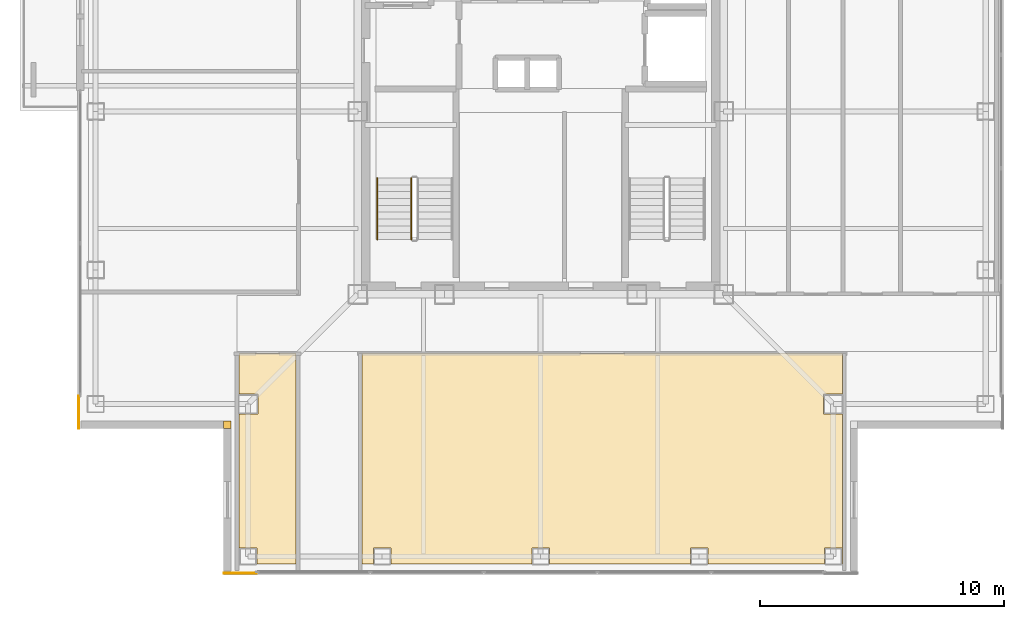
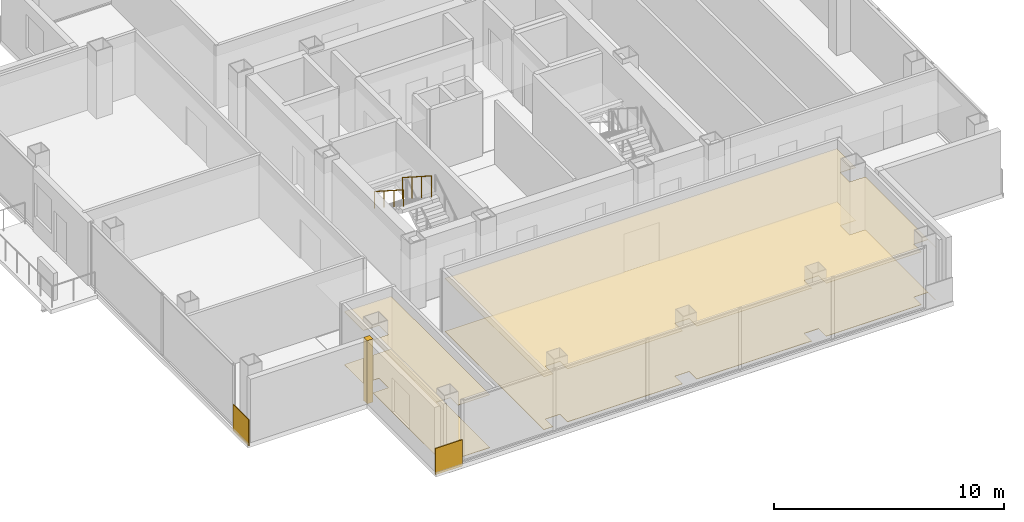
# One storey, part 11 of 13: 7 coverings, 2 railings.
"""IFC4 building model written with IfcOpenShell, lengths in metres."""

from ifc_helpers import new_model, si_unit, direction, frame, frame_2d, origin, origin_2d, place, context, subcontext, project, spatial, polyline, rectangle, circle, outline, extrude, material, layer, layer_set, type_object, element, save


model = new_model("IFC4")

# Units and contexts
model_context = context("Model", 3, precision=1e-05, world=origin(), true_north=direction((0.0, 1.0)))
body_context = subcontext(model_context, "Body", "Model", "MODEL_VIEW")
ifc_project = project(units=[si_unit("LENGTHUNIT", "METRE"), si_unit("AREAUNIT", "SQUARE_METRE"), si_unit("VOLUMEUNIT", "CUBIC_METRE"), si_unit("PLANEANGLEUNIT", "RADIAN"), si_unit("MASSUNIT", "GRAM", prefix="KILO")], contexts=[model_context])

# Site, building, storey
site_placement = place(None, origin())
site = spatial("IfcSite", under=ifc_project, at=site_placement, CompositionType="ELEMENT")
building_placement = place(site_placement, origin())
building = spatial("IfcBuilding", under=site, at=building_placement, Name="Trevonay Congress Spire", CompositionType="ELEMENT")
storey_placement = place(building_placement, frame((0.0, 0.0, 254.0)))
storey = spatial("IfcBuildingStorey", under=building, at=storey_placement, Name="L66", CompositionType="ELEMENT", Elevation=254.0)

# Coverings
ifc_material_1 = material(Name="Acoustic Mineral Fibre Board", Category="gypsum")
ifc_layer_1 = layer(ifc_material_1, 0.02490234375, Name="Acoustic Mineral Fibre Board")
ifc_layer_set_1 = layer_set([ifc_layer_1], Name="Acoustic Mineral Fibre Board")
covering_type_1 = type_object("IfcCoveringType", Name="COV-CEIL-ACOUSTIC", PredefinedType="CEILING", material=ifc_layer_set_1)
covering_1_placement = place(storey_placement, frame((0.0, 0.0, 2.81005859375)))
element("IfcCovering", 1, at=covering_1_placement, inside=storey, type_object=covering_type_1, Name="L66 Chef Tasting Private Dining Room acoustic suspended ceiling", PredefinedType="CEILING", context=body_context, shape_type="SweptSolid", body=[
    extrude(outline(polyline([(-12.3701171875, -18.550048828125), (-12.3701171875, -12.409912109375), (-11.590087890625, -12.409912109375), (-11.590087890625, -11.590087890625), (-12.3701171875, -11.590087890625), (-12.3701171875, -9.929931640625), (-10.030029296875, -9.929931640625), (-10.030029296875, -18.550048828125), (-11.639892578125, -18.550048828125), (-11.639892578125, -17.889892578125), (-12.360107421875, -17.889892578125), (-12.360107421875, -18.550048828125), (-12.3701171875, -18.550048828125)])), origin(), (0.0, 0.0, 1.0), 0.02490234375),
])
covering_2_placement = place(storey_placement, frame((0.0, 0.0, 2.81005859375)))
element("IfcCovering", 2, at=covering_2_placement, inside=storey, type_object=covering_type_1, Name="L66 State Panoramic Fine-Dining Restaurant acoustic suspended ceiling", PredefinedType="CEILING", context=body_context, shape_type="SweptSolid", body=[
    extrude(outline(polyline([(-7.320068359375, -18.550048828125), (-7.320068359375, -9.929931640625), (12.3701171875, -9.929931640625), (12.3701171875, -11.590087890625), (11.590087890625, -11.590087890625), (11.590087890625, -12.409912109375), (12.3701171875, -12.409912109375), (12.3701171875, -18.550048828125), (12.360107421875, -18.550048828125), (12.360107421875, -17.889892578125), (11.639892578125, -17.889892578125), (11.639892578125, -18.550048828125), (6.860107421875, -18.550048828125), (6.860107421875, -17.889892578125), (6.139892578125, -17.889892578125), (6.139892578125, -18.550048828125), (0.360107421875, -18.550048828125), (0.360107421875, -17.889892578125), (-0.360107421875, -17.889892578125), (-0.360107421875, -18.550048828125), (-6.139892578125, -18.550048828125), (-6.139892578125, -17.889892578125), (-6.860107421875, -17.889892578125), (-6.860107421875, -18.550048828125), (-7.320068359375, -18.550048828125)])), origin(), (0.0, 0.0, 1.0), 0.02490234375),
])
ifc_material_2 = material(Name="Polished Granite Floor Tile", Category="masonry")
ifc_layer_2 = layer(ifc_material_2, 0.02001953125, Name="Polished Granite Floor Tile")
ifc_layer_set_2 = layer_set([ifc_layer_2], Name="Polished Granite Floor Tile")
covering_type_2 = type_object("IfcCoveringType", Name="COV-FLOOR-STONE", PredefinedType="FLOORING", material=ifc_layer_set_2)
covering_3_placement = place(storey_placement, origin())
element("IfcCovering", 3, at=covering_3_placement, inside=storey, type_object=covering_type_2, Name="L66 Chef Tasting Private Dining Room floor finish", PredefinedType="FLOORING", context=body_context, shape_type="SweptSolid", body=[
    extrude(outline(polyline([(-12.3701171875, -18.550048828125), (-12.3701171875, -12.409912109375), (-11.590087890625, -12.409912109375), (-11.590087890625, -11.590087890625), (-12.3701171875, -11.590087890625), (-12.3701171875, -9.929931640625), (-10.030029296875, -9.929931640625), (-10.030029296875, -18.550048828125), (-11.639892578125, -18.550048828125), (-11.639892578125, -17.889892578125), (-12.360107421875, -17.889892578125), (-12.360107421875, -18.550048828125), (-12.3701171875, -18.550048828125)])), origin(), (0.0, 0.0, 1.0), 0.02001953125),
])
covering_4_placement = place(storey_placement, origin())
element("IfcCovering", 4, at=covering_4_placement, inside=storey, type_object=covering_type_2, Name="L66 State Panoramic Fine-Dining Restaurant floor finish", PredefinedType="FLOORING", context=body_context, shape_type="SweptSolid", body=[
    extrude(outline(polyline([(-7.320068359375, -18.550048828125), (-7.320068359375, -9.929931640625), (12.3701171875, -9.929931640625), (12.3701171875, -11.590087890625), (11.590087890625, -11.590087890625), (11.590087890625, -12.409912109375), (12.3701171875, -12.409912109375), (12.3701171875, -18.550048828125), (12.360107421875, -18.550048828125), (12.360107421875, -17.889892578125), (11.639892578125, -17.889892578125), (11.639892578125, -18.550048828125), (6.860107421875, -18.550048828125), (6.860107421875, -17.889892578125), (6.139892578125, -17.889892578125), (6.139892578125, -18.550048828125), (0.360107421875, -18.550048828125), (0.360107421875, -17.889892578125), (-0.360107421875, -17.889892578125), (-0.360107421875, -18.550048828125), (-6.139892578125, -18.550048828125), (-6.139892578125, -17.889892578125), (-6.860107421875, -17.889892578125), (-6.860107421875, -18.550048828125), (-7.320068359375, -18.550048828125)])), origin(), (0.0, 0.0, 1.0), 0.02001953125),
])
ifc_material_3 = material(Name="Pale Anodised Aluminium EN AW-6063-T6", Category="aluminium")
ifc_layer_3 = layer(ifc_material_3, 0.0400390625, Name="Pale Anodised Aluminium EN AW-6063-T6")
ifc_layer_set_3 = layer_set([ifc_layer_3], Name="Pale Anodised Aluminium EN AW-6063-T6")
covering_type_3 = type_object("IfcCoveringType", Name="COV-SPANDREL-PALE-METAL", PredefinedType="CLADDING", material=ifc_layer_set_3)
covering_5_placement = place(storey_placement, origin())
element("IfcCovering", 5, at=covering_5_placement, inside=storey, type_object=covering_type_3, Name="L66 SW re-entrant notch corner closure trim", PredefinedType="CLADDING", context=body_context, shape_type="SweptSolid", body=[
    extrude(outline(polyline([(-13.0, -13.0), (-12.699951171875, -13.0), (-12.699951171875, -12.699951171875), (-13.0, -12.699951171875), (-13.0, -13.0)])), origin(), (0.0, 0.0, 1.0), 3.360107421875),
])
for number, where, z_axis, x_axis, name in (
    (6, (-18.93994140625, -11.64990234375, -0.14990234375), (0.0, 0.0, 1.0), (0.0, -1.0, 0.0), "L66 SW corner pier spandrel cladding 1"),
    (7, (-11.64990234375, -18.93994140625, -0.14990234375), (0.0, 0.0, 1.0), (-1.0, 0.0, 0.0), "L66 SW corner pier spandrel cladding 2"),
):
    element("IfcCovering", number, at=place(storey_placement, frame(where, z_axis=z_axis, x_axis=x_axis)), inside=storey, type_object=covering_type_3, Name=name, PredefinedType="CLADDING", context=body_context, shape_type="SweptSolid", body=[
        extrude(rectangle(XDim=1.35009765625, YDim=0.0400390625, at=frame_2d((0.675048828125, 0.0))), origin(), (0.0, 0.0, 1.0), 1.39990234375),
    ])

# Railings
railing_type_1 = type_object("IfcRailingType", Name="RAL-STAIR-GUARD-110", PredefinedType="GUARDRAIL", material=ifc_material_3)
railing_1_placement = place(storey_placement, frame((-5.300048828125, -2.72998046875, 1.97998046875)))
element("IfcRailing", 8, at=railing_1_placement, inside=storey, type_object=railing_type_1, Name="L66 ST-1 stair guard 3", PredefinedType="GUARDRAIL", context=body_context, shape_type="SweptSolid", body=[
    extrude(circle(Radius=0.02392578125, at=origin_2d()), frame((0.0, 0.0, 1.1259765625), z_axis=(0.0, -0.841162588446, 0.540782303519), x_axis=(1.0, 0.0, 0.0)), (0.0, 0.0, 1.0), 2.995849609375),
    extrude(circle(Radius=0.02099609375, at=origin_2d()), origin(), (0.0, 0.0, 1.0), 1.101806640625),
    extrude(circle(Radius=0.02099609375, at=origin_2d()), frame((0.0, -0.840087890625, 0.5400390625)), (0.0, 0.0, 1.0), 1.101806640625),
    extrude(circle(Radius=0.02099609375, at=origin_2d()), frame((0.0, -1.679931640625, 1.080078125)), (0.0, 0.0, 1.0), 1.101806640625),
    extrude(circle(Radius=0.02099609375, at=origin_2d()), frame((0.0, -2.52001953125, 1.6201171875)), (0.0, 0.0, 1.0), 1.101806640625),
])
railing_type_2 = type_object("IfcRailingType", Name="RAL-STAIR-HANDRAIL", PredefinedType="HANDRAIL", material=ifc_material_3)
railing_2_placement = place(storey_placement, frame((-6.699951171875, -2.72998046875, 1.97998046875)))
element("IfcRailing", 9, at=railing_2_placement, inside=storey, type_object=railing_type_2, Name="L66 ST-1 stair handrail 2", PredefinedType="HANDRAIL", context=body_context, shape_type="SweptSolid", body=[
    extrude(circle(Radius=0.02392578125, at=origin_2d()), frame((0.0, 0.0, 0.8759765625), z_axis=(0.0, -0.841162588446, 0.540782303519), x_axis=(1.0, 0.0, 0.0)), (0.0, 0.0, 1.0), 2.995849609375),
    extrude(circle(Radius=0.02099609375, at=origin_2d()), origin(), (0.0, 0.0, 1.0), 0.851806640625),
    extrude(circle(Radius=0.02099609375, at=origin_2d()), frame((0.0, -0.840087890625, 0.5400390625)), (0.0, 0.0, 1.0), 0.851806640625),
    extrude(circle(Radius=0.02099609375, at=origin_2d()), frame((0.0, -1.679931640625, 1.080078125)), (0.0, 0.0, 1.0), 0.851806640625),
    extrude(circle(Radius=0.02099609375, at=origin_2d()), frame((0.0, -2.52001953125, 1.6201171875)), (0.0, 0.0, 1.0), 0.851806640625),
])

save(model, "model.ifc")
